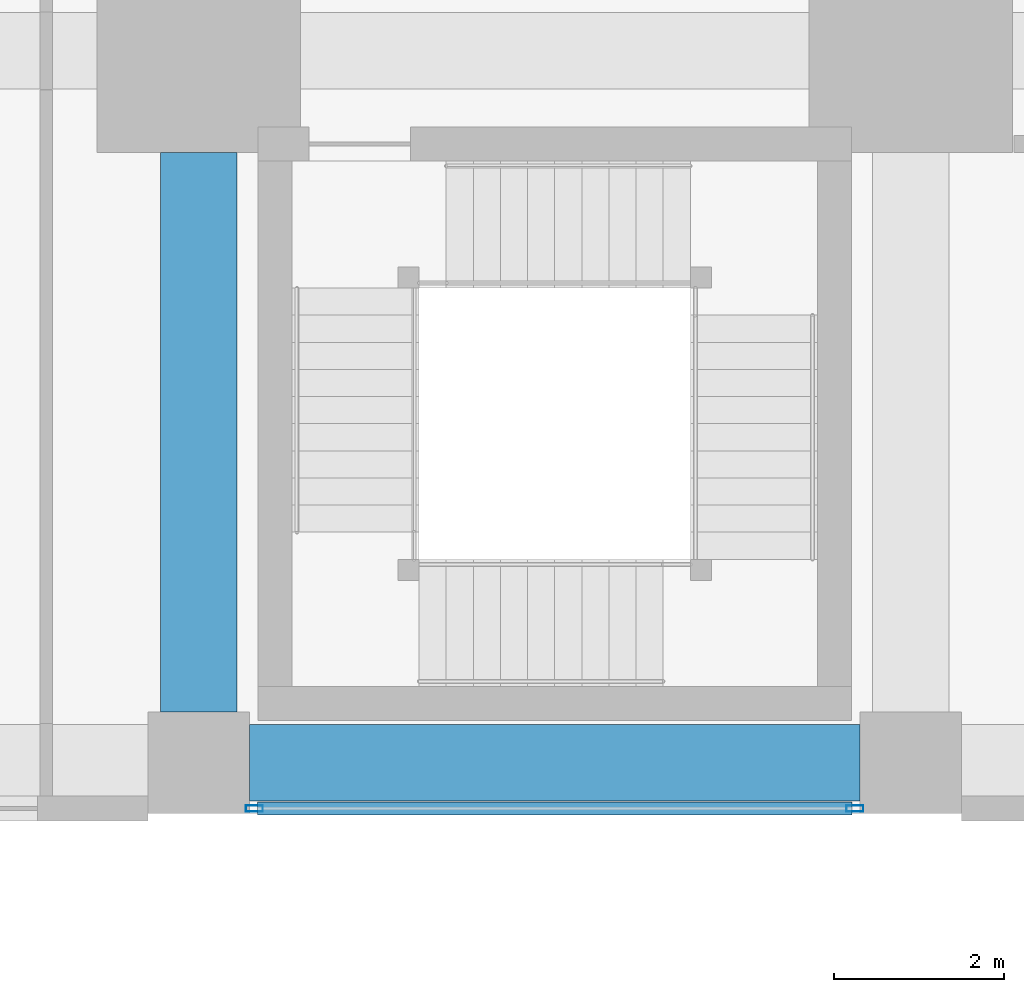
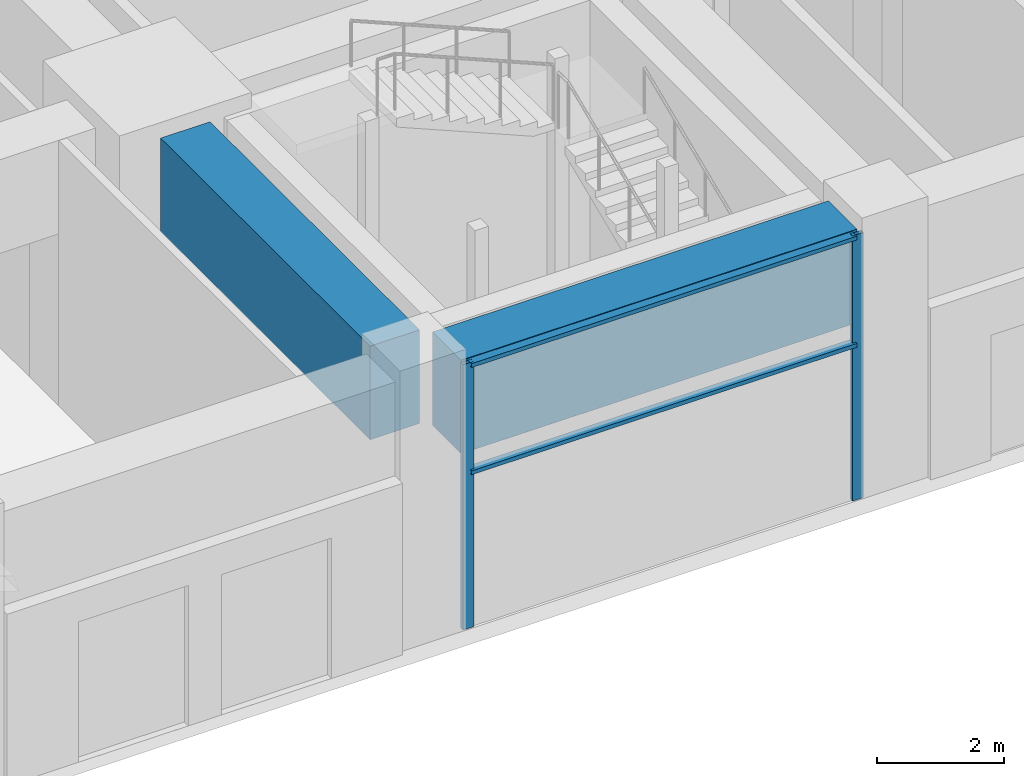
# One storey, part 15 of 81: 4 members, 2 beams, 1 element without a shape of its own.
"""IFC4 building model written with IfcOpenShell, lengths in metres."""

from ifc_helpers import new_model, si_unit, direction, frame, origin, origin_2d, place, context, subcontext, project, spatial, rectangle, hollow_rectangle, extrude, material, material_profile, profile_set, type_object, element, aggregate, save


model = new_model("IFC4")

# Units and contexts
model_context = context("Model", 3, precision=1e-05, world=origin(), true_north=direction((0.0, 1.0)))
body_context = subcontext(model_context, "Body", "Model", "MODEL_VIEW")
ifc_project = project(units=[si_unit("LENGTHUNIT", "METRE"), si_unit("AREAUNIT", "SQUARE_METRE"), si_unit("VOLUMEUNIT", "CUBIC_METRE"), si_unit("PLANEANGLEUNIT", "RADIAN"), si_unit("MASSUNIT", "GRAM", prefix="KILO")], contexts=[model_context])

# Site, building, storey
site_placement = place(None, origin())
site = spatial("IfcSite", under=ifc_project, at=site_placement, CompositionType="ELEMENT")
building_placement = place(site_placement, origin())
building = spatial("IfcBuilding", under=site, at=building_placement, Name="Rekha Terrace Tower", CompositionType="ELEMENT")
storey_placement = place(building_placement, origin())
storey = spatial("IfcBuildingStorey", under=building, at=storey_placement, Name="L00", CompositionType="ELEMENT", Elevation=0.0)

# Curtain wall, members
ifc_material_1 = material(Name="Aluminium framing", Category="aluminium")
curtain_wall_type = type_object("IfcCurtainWallType", Name="CW4 podium shopfront glazing", PredefinedType="USERDEFINED", material=ifc_material_1)
curtain_wall_placement = place(storey_placement, origin())
curtain_wall = element("IfcCurtainWall", 1, at=curtain_wall_placement, inside=storey, type_object=curtain_wall_type, Name="CW4 shopfront curtain wall", ObjectType="SHOPFRONT CURTAIN WALL", PredefinedType="USERDEFINED")
ifc_material_2 = material(Name="Aluminium mullion section", Category="aluminium")
ifc_material_profile_1 = material_profile(ifc_material_2, hollow_rectangle(XDim=0.074951171875, YDim=0.199951171875, WallThickness=0.00390625, at=origin_2d()), Name="AL RHS 75x200")
ifc_profile_set_1 = profile_set([ifc_material_profile_1], Name="Aluminium mullion section")
member_type_1 = type_object("IfcMemberType", Name="CW4 mullion RHS 75 x 200", PredefinedType="MULLION", material=ifc_profile_set_1)
member_1_placement = place(storey_placement, frame((51.0576171875, -0.5400390625, 0.0), z_axis=(0.0, 0.0, 1.0), x_axis=(0.0, 1.0, 0.0)))
member_1 = element("IfcMember", 2, at=member_1_placement, type_object=member_type_1, Name="CW4 mullion 1", PredefinedType="MULLION", context=body_context, shape_type="SweptSolid", body=[
    extrude(hollow_rectangle(XDim=0.074951171875, YDim=0.199951171875, WallThickness=0.00390625, at=origin_2d()), origin(), (0.0, 0.0, 1.0), 5.10009765625),
])
member_2_placement = place(storey_placement, frame((58.142578125, -0.5400390625, 0.0), z_axis=(0.0, 0.0, 1.0), x_axis=(0.0, 1.0, 0.0)))
member_2 = element("IfcMember", 3, at=member_2_placement, type_object=member_type_1, Name="CW4 mullion 2", PredefinedType="MULLION", context=body_context, shape_type="SweptSolid", body=[
    extrude(hollow_rectangle(XDim=0.074951171875, YDim=0.199951171875, WallThickness=0.00390625, at=origin_2d()), origin(), (0.0, 0.0, 1.0), 5.10009765625),
])
ifc_material_3 = material(Name="Aluminium transom section", Category="aluminium")
ifc_material_profile_2 = material_profile(ifc_material_3, hollow_rectangle(XDim=0.14990234375, YDim=0.074951171875, WallThickness=0.0029296875, at=origin_2d()), Name="AL RHS 150x75")
ifc_profile_set_2 = profile_set([ifc_material_profile_2], Name="Aluminium transom section")
member_type_2 = type_object("IfcMemberType", Name="CW4 transom RHS 75 x 150", PredefinedType="USERDEFINED", material=ifc_profile_set_2)
member_3_placement = place(storey_placement, frame((51.094970703125, -0.5400390625, 3.0), z_axis=(1.0, 0.0, 0.0), x_axis=(0.0, 1.0, 0.0)))
member_3 = element("IfcMember", 4, at=member_3_placement, type_object=member_type_2, Name="CW4 transom 1.2", ObjectType="TRANSOM", PredefinedType="USERDEFINED", context=body_context, shape_type="SweptSolid", body=[
    extrude(hollow_rectangle(XDim=0.14990234375, YDim=0.074951171875, WallThickness=0.0029296875, at=origin_2d()), origin(), (0.0, 0.0, 1.0), 7.010009765625),
])
member_4_placement = place(storey_placement, frame((51.094970703125, -0.5400390625, 5.0625), z_axis=(1.0, 0.0, 0.0), x_axis=(0.0, 1.0, 0.0)))
member_4 = element("IfcMember", 5, at=member_4_placement, type_object=member_type_2, Name="CW4 transom 1.3", ObjectType="TRANSOM", PredefinedType="USERDEFINED", context=body_context, shape_type="SweptSolid", body=[
    extrude(hollow_rectangle(XDim=0.14990234375, YDim=0.074951171875, WallThickness=0.0029296875, at=origin_2d()), origin(), (0.0, 0.0, 1.0), 7.010009765625),
])
aggregate(curtain_wall, [member_1, member_2, member_3, member_4])

# Beams
ifc_material_4 = material(Name="Concrete M60", Category="concrete")
ifc_material_profile_3 = material_profile(ifc_material_4, rectangle(XDim=0.89990234375, YDim=1.800048828125, at=origin_2d()), Name="RC 900x1800")
ifc_profile_set_3 = profile_set([ifc_material_profile_3], Name="Concrete M60")
beam_type = type_object("IfcBeamType", Name="G1 900x1800 podium floor beam", PredefinedType="BEAM", material=ifc_profile_set_3)
beam_1_placement = place(storey_placement, frame((51.0, 0.0, 4.199951171875), z_axis=(1.0, 0.0, 0.0), x_axis=(0.0, 1.0, 0.0)))
element("IfcBeam", 6, at=beam_1_placement, inside=storey, type_object=beam_type, Name="Beam G1 7A-8A under L01", PredefinedType="BEAM", context=body_context, shape_type="SweptSolid", body=[
    extrude(rectangle(XDim=0.89990234375, YDim=1.800048828125, at=origin_2d()), origin(), (0.0, 0.0, 1.0), 7.199951171875),
])
beam_2_placement = place(storey_placement, frame((50.39990234375, 0.60009765625, 4.199951171875), z_axis=(0.0, 1.0, 0.0), x_axis=(-1.0, 0.0, 0.0)))
element("IfcBeam", 7, at=beam_2_placement, inside=storey, type_object=beam_type, Name="Beam G1 7A-7B under L01", PredefinedType="BEAM", context=body_context, shape_type="SweptSolid", body=[
    extrude(rectangle(XDim=0.89990234375, YDim=1.800048828125, at=origin_2d()), origin(), (0.0, 0.0, 1.0), 6.599853515625),
])

save(model, "model.ifc")
